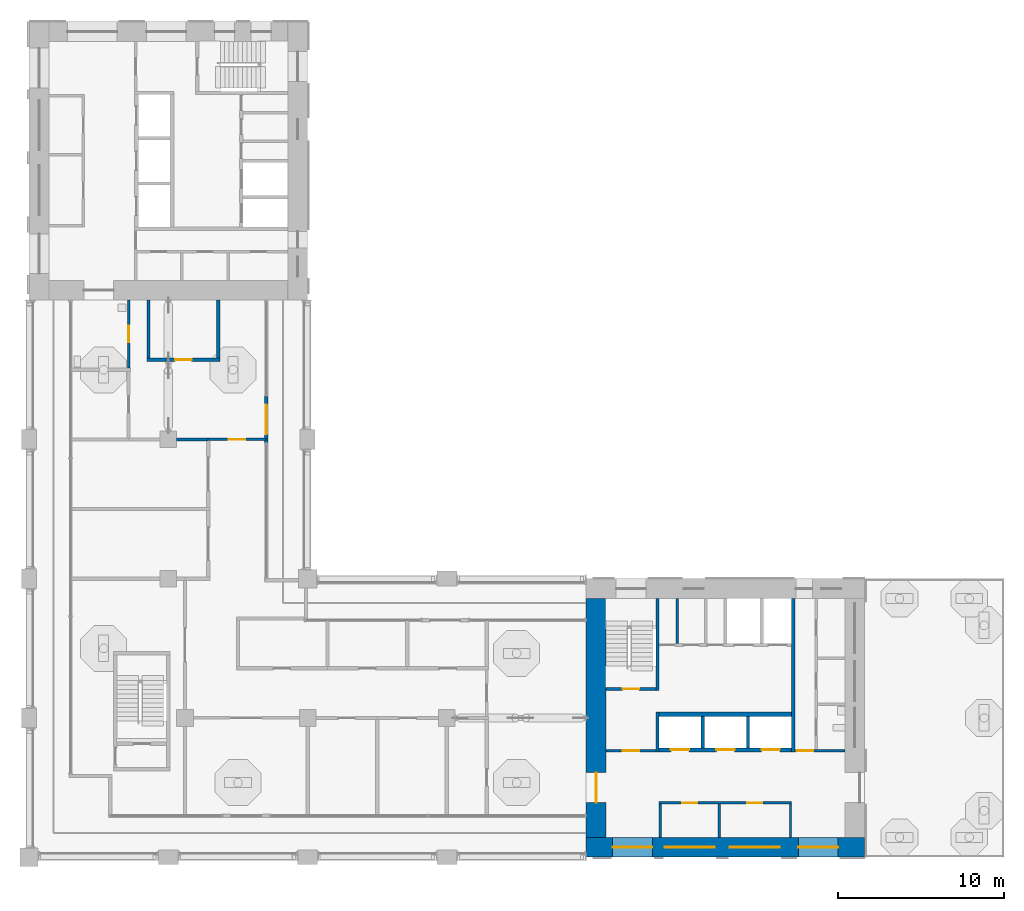
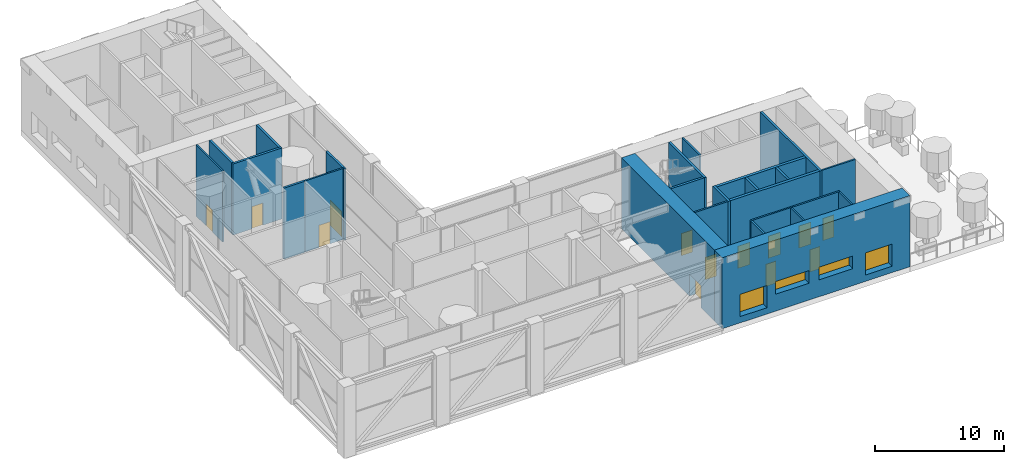
# One storey, part 8 of 20: 24 walls, 13 doors, 4 windows, 17 openings.
"""IFC4 building model written with IfcOpenShell, lengths in metres."""

from ifc_helpers import new_model, si_unit, direction, frame, frame_2d, origin, place, context, subcontext, project, spatial, rectangle, extrude, material, layer, layer_set, type_object, element, fill, save


model = new_model("IFC4")

# Units and contexts
model_context = context("Model", 3, precision=1e-05, world=origin(), true_north=direction((0.0, 1.0)))
body_context = subcontext(model_context, "Body", "Model", "MODEL_VIEW")
ifc_project = project(units=[si_unit("LENGTHUNIT", "METRE"), si_unit("AREAUNIT", "SQUARE_METRE"), si_unit("VOLUMEUNIT", "CUBIC_METRE"), si_unit("PLANEANGLEUNIT", "RADIAN"), si_unit("MASSUNIT", "GRAM", prefix="KILO")], contexts=[model_context])

# Site, building, storey
site_placement = place(None, origin())
site = spatial("IfcSite", under=ifc_project, at=site_placement, CompositionType="ELEMENT")
building_placement = place(site_placement, origin())
building = spatial("IfcBuilding", under=site, at=building_placement, Name="Vermilion Gate Residences", CompositionType="ELEMENT")
storey_placement = place(building_placement, frame((0.0, 0.0, 207.199951171875)))
storey = spatial("IfcBuildingStorey", under=building, at=storey_placement, Name="L54", CompositionType="ELEMENT", Elevation=207.199951171875)

# Walls
ifc_material_1 = material(Name="Masonry blockwork", Category="masonry")
ifc_layer_1 = layer(ifc_material_1, 0.14990234375)
ifc_layer_set_1 = layer_set([ifc_layer_1], Name="BLOCKWORK PARTITION 150 EI 120")
wall_type_1 = type_object("IfcWallType", Name="BLOCKWORK PARTITION 150 EI 120", PredefinedType="PARTITIONING", material=ifc_layer_set_1)
for number, where, z_axis, x_axis, name in (
    (1, (46.47509765625, 9.60009765625, 0.0), (0.0, 0.0, 1.0), (0.0, 1.0, 0.0), "Core room partition A54-RW-W"),
    (2, (54.324951171875, 9.60009765625, 0.0), (0.0, 0.0, 1.0), (0.0, 1.0, 0.0), "Core room partition A54-RW-E"),
    (3, (50.0224609375, 9.60009765625, 0.0), (0.0, 0.0, 1.0), (0.0, 1.0, 0.0), "Core room partition A54-SR-P0"),
):
    element("IfcWall", number, at=place(storey_placement, frame(where, z_axis=z_axis, x_axis=x_axis)), inside=storey, type_object=wall_type_1, Name=name, PredefinedType="PARTITIONING", context=body_context, shape_type="SweptSolid", body=[
        extrude(rectangle(XDim=2.0, YDim=0.14990234375, at=frame_2d((1.0, 0.0))), origin(), (0.0, 0.0, 1.0), 6.719970703125),
    ])

# Wall, openings, doors
wall_1_placement = place(storey_placement, frame((46.39990234375, 11.675048828125, 0.0), z_axis=(0.0, 0.0, 1.0), x_axis=(1.0, 0.0, 0.0)))
wall_1 = element("IfcWall", 4, at=wall_1_placement, inside=storey, type_object=wall_type_1, Name="Core room partition A54-LR-F", PredefinedType="PARTITIONING", context=body_context, shape_type="SweptSolid", body=[
    extrude(rectangle(XDim=8.0, YDim=0.14990234375, at=frame_2d((4.0, 0.0))), origin(), (0.0, 0.0, 1.0), 6.719970703125),
])
opening_1_placement = place(wall_1_placement, frame((1.398681640625, 0.0, 0.0)))
opening_1 = element("IfcOpeningElement", 5, at=opening_1_placement, cuts=wall_1, Name="Opening DK54003", PredefinedType="OPENING", context=body_context, shape_type="SweptSolid", body=[
    extrude(rectangle(XDim=0.89990234375, YDim=2.10009765625, at=frame_2d((0.449951171875, 1.050048828125))), frame((0.0, 0.0849609375, 0.0), z_axis=(0.0, -1.0, 0.0), x_axis=(1.0, 0.0, 0.0)), (0.0, 0.0, 1.0), 0.169921875),
])
opening_2_placement = place(wall_1_placement, frame((5.32373046875, 0.0, 0.0)))
opening_2 = element("IfcOpeningElement", 6, at=opening_2_placement, cuts=wall_1, Name="Opening DK54004", PredefinedType="OPENING", context=body_context, shape_type="SweptSolid", body=[
    extrude(rectangle(XDim=0.89990234375, YDim=2.10009765625, at=frame_2d((0.449951171875, 1.050048828125))), frame((0.0, 0.0849609375, 0.0), z_axis=(0.0, -1.0, 0.0), x_axis=(1.0, 0.0, 0.0)), (0.0, 0.0, 1.0), 0.169921875),
])
ifc_material_2 = material(Name="Steel", Category="steel")
door_type_1 = type_object("IfcDoorType", Name="SERVICE ROOM DOOR FD60 900 X 2100", OperationType="SINGLE_SWING_LEFT", PredefinedType="DOOR", material=ifc_material_2)
door_1_placement = place(opening_1_placement, origin())
door_1 = element("IfcDoor", 7, at=door_1_placement, inside=storey, type_object=door_type_1, Name="Mechanical plant room A54", OperationType="SINGLE_SWING_LEFT", OverallHeight=2.10009765625, OverallWidth=0.89990234375, PredefinedType="DOOR", context=body_context, shape_type="SweptSolid", body=[
    extrude(rectangle(XDim=0.89990234375, YDim=2.10009765625, at=frame_2d((0.449951171875, 1.050048828125))), frame((0.0, 0.02490234375, 0.0), z_axis=(0.0, -1.0, 0.0), x_axis=(1.0, 0.0, 0.0)), (0.0, 0.0, 1.0), 0.050048828125),
])
fill(opening_1, door_1)
door_2_placement = place(opening_2_placement, origin())
door_2 = element("IfcDoor", 8, at=door_2_placement, inside=storey, type_object=door_type_1, Name="Water tank room A54", OperationType="SINGLE_SWING_LEFT", OverallHeight=2.10009765625, OverallWidth=0.89990234375, PredefinedType="DOOR", context=body_context, shape_type="SweptSolid", body=[
    extrude(rectangle(XDim=0.89990234375, YDim=2.10009765625, at=frame_2d((0.449951171875, 1.050048828125))), frame((0.0, 0.02490234375, 0.0), z_axis=(0.0, -1.0, 0.0), x_axis=(1.0, 0.0, 0.0)), (0.0, 0.0, 1.0), 0.050048828125),
])
fill(opening_2, door_2)

# Wall
wall_2_placement = place(storey_placement, frame((47.48291015625, 21.300048828125, 0.0), z_axis=(0.0, 0.0, 1.0), x_axis=(0.0, 1.0, 0.0)))
element("IfcWall", 9, at=wall_2_placement, inside=storey, type_object=wall_type_1, Name="Core room partition A54-NR-P0", PredefinedType="PARTITIONING", context=body_context, shape_type="SweptSolid", body=[
    extrude(rectangle(XDim=2.699951171875, YDim=0.14990234375, at=frame_2d((1.35009765625, 0.0))), origin(), (0.0, 0.0, 1.0), 6.719970703125),
])

# Wall, opening, door
wall_3_placement = place(storey_placement, frame((43.199951171875, 14.824951171875, 0.0), z_axis=(0.0, 0.0, 1.0), x_axis=(1.0, 0.0, 0.0)))
wall_3 = element("IfcWall", 10, at=wall_3_placement, inside=storey, type_object=wall_type_1, Name="Core room partition A54-VW-S", PredefinedType="PARTITIONING", context=body_context, shape_type="SweptSolid", body=[
    extrude(rectangle(XDim=3.0, YDim=0.14990234375, at=frame_2d((1.5, 0.0))), origin(), (0.0, 0.0, 1.0), 6.719970703125),
])
opening_3_placement = place(wall_3_placement, frame((1.0, 0.0, 0.0)))
opening_3 = element("IfcOpeningElement", 11, at=opening_3_placement, cuts=wall_3, Name="Opening DK54013", PredefinedType="OPENING", context=body_context, shape_type="SweptSolid", body=[
    extrude(rectangle(XDim=1.0, YDim=2.10009765625, at=frame_2d((0.5, 1.050048828125))), frame((0.0, 0.0849609375, 0.0), z_axis=(0.0, -1.0, 0.0), x_axis=(1.0, 0.0, 0.0)), (0.0, 0.0, 1.0), 0.169921875),
])
ifc_material_3 = material(Name="Steel", Category="steel")
door_type_2 = type_object("IfcDoorType", Name="FIRE DOOR FD60 1000 X 2100", OperationType="SINGLE_SWING_LEFT", PredefinedType="DOOR", material=ifc_material_3)
door_3_placement = place(opening_3_placement, frame((1.0, 0.0, 0.0), z_axis=(0.0, 0.0, 1.0), x_axis=(-1.0, 0.0, 0.0)))
door_3 = element("IfcDoor", 12, at=door_3_placement, inside=storey, type_object=door_type_2, Name="Stair vestibule door A54", OperationType="SINGLE_SWING_RIGHT", OverallHeight=2.10009765625, OverallWidth=1.0, PredefinedType="DOOR", context=body_context, shape_type="SweptSolid", body=[
    extrude(rectangle(XDim=1.0, YDim=2.10009765625, at=frame_2d((0.5, 1.050048828125))), frame((0.0, 0.02490234375, 0.0), z_axis=(0.0, -1.0, 0.0), x_axis=(1.0, 0.0, 0.0)), (0.0, 0.0, 1.0), 0.050048828125),
])
fill(opening_3, door_3)

wall_4_placement = place(storey_placement, frame((54.60009765625, 14.824951171875, 0.0), z_axis=(0.0, 0.0, 1.0), x_axis=(1.0, 0.0, 0.0)))
wall_4 = element("IfcWall", 13, at=wall_4_placement, inside=storey, type_object=wall_type_1, Name="Core room partition A54-ES-S", PredefinedType="PARTITIONING", context=body_context, shape_type="SweptSolid", body=[
    extrude(rectangle(XDim=3.0, YDim=0.14990234375, at=frame_2d((1.5, 0.0))), origin(), (0.0, 0.0, 1.0), 6.719970703125),
])
opening_4_placement = place(wall_4_placement, frame((0.10009765625, 0.0, 0.0)))
opening_4 = element("IfcOpeningElement", 14, at=opening_4_placement, cuts=wall_4, Name="Opening DK54015", PredefinedType="OPENING", context=body_context, shape_type="SweptSolid", body=[
    extrude(rectangle(XDim=1.0, YDim=2.10009765625, at=frame_2d((0.5, 1.050048828125))), frame((0.0, 0.0849609375, 0.0), z_axis=(0.0, -1.0, 0.0), x_axis=(1.0, 0.0, 0.0)), (0.0, 0.0, 1.0), 0.169921875),
])
door_4_placement = place(opening_4_placement, frame((1.0, 0.0, 0.0), z_axis=(0.0, 0.0, 1.0), x_axis=(-1.0, 0.0, 0.0)))
door_4 = element("IfcDoor", 15, at=door_4_placement, inside=storey, type_object=door_type_2, Name="Service corridor door A54", OperationType="SINGLE_SWING_LEFT", OverallHeight=2.10009765625, OverallWidth=1.0, PredefinedType="DOOR", context=body_context, shape_type="SweptSolid", body=[
    extrude(rectangle(XDim=1.0, YDim=2.10009765625, at=frame_2d((0.5, 1.050048828125))), frame((0.0, 0.02490234375, 0.0), z_axis=(0.0, -1.0, 0.0), x_axis=(1.0, 0.0, 0.0)), (0.0, 0.0, 1.0), 0.050048828125),
])
fill(opening_4, door_4)

ifc_material_4 = material(Name="Insulated steel stud wall with terracotta rainscreen", Category="masonry")
ifc_layer_2 = layer(ifc_material_4, 0.199951171875)
ifc_layer_set_2 = layer_set([ifc_layer_2], Name="EXTERNAL WALL 200 TERRACOTTA RAINSCREEN")
wall_type_2 = type_object("IfcWallType", Name="EXTERNAL WALL 200 TERRACOTTA RAINSCREEN", PredefinedType="SOLIDWALL", material=ifc_layer_set_2)
wall_5_placement = place(storey_placement, frame((22.699951171875, 33.39990234375, 0.0), z_axis=(0.0, 0.0, 1.0), x_axis=(0.0, 1.0, 0.0)))
wall_5 = element("IfcWall", 16, at=wall_5_placement, inside=storey, type_object=wall_type_2, Name="External wall", PredefinedType="SOLIDWALL", context=body_context, shape_type="SweptSolid", body=[
    extrude(rectangle(XDim=2.800048828125, YDim=0.199951171875, at=frame_2d((1.39990234375, 0.0))), origin(), (0.0, 0.0, 1.0), 6.719970703125),
])
opening_5_placement = place(wall_5_placement, frame((0.5, 0.0, 0.0)))
opening_5 = element("IfcOpeningElement", 17, at=opening_5_placement, cuts=wall_5, Name="Opening DE54003", PredefinedType="OPENING", context=body_context, shape_type="SweptSolid", body=[
    extrude(rectangle(XDim=1.800048828125, YDim=2.39990234375, at=frame_2d((0.89990234375, 1.199951171875))), frame((0.0, 0.10986328125, 0.0), z_axis=(0.0, -1.0, 0.0), x_axis=(1.0, 0.0, 0.0)), (0.0, 0.0, 1.0), 0.219970703125),
])
ifc_material_5 = material(Name="Aluminium and clear glass", Category="aluminium")
door_type_3 = type_object("IfcDoorType", Name="GLAZED EXTERNAL DOOR 1800 X 2400", OperationType="DOUBLE_DOOR_SINGLE_SWING", PredefinedType="DOOR", material=ifc_material_5)
door_5_placement = place(opening_5_placement, frame((1.800048828125, 0.0, 0.0), z_axis=(0.0, 0.0, 1.0), x_axis=(-1.0, 0.0, 0.0)))
door_5 = element("IfcDoor", 18, at=door_5_placement, inside=storey, type_object=door_type_3, Name="Terrace door", OperationType="DOUBLE_DOOR_SINGLE_SWING", OverallHeight=2.39990234375, OverallWidth=1.800048828125, PredefinedType="DOOR", context=body_context, shape_type="SweptSolid", body=[
    extrude(rectangle(XDim=1.800048828125, YDim=2.39990234375, at=frame_2d((0.89990234375, 1.199951171875))), frame((0.0, 0.02490234375, 0.0), z_axis=(0.0, -1.0, 0.0), x_axis=(1.0, 0.0, 0.0)), (0.0, 0.0, 1.0), 0.050048828125),
])
fill(opening_5, door_5)

# Walls
ifc_material_6 = material(Name="Concrete blockwork", Category="masonry")
ifc_layer_3 = layer(ifc_material_6, 0.199951171875)
ifc_layer_set_3 = layer_set([ifc_layer_3], Name="FIRE WALL 200 EI 120 (AMENITY)")
wall_type_3 = type_object("IfcWallType", Name="FIRE WALL 200 EI 120 (AMENITY)", PredefinedType="PARTITIONING", material=ifc_layer_set_3)
wall_6_placement = place(storey_placement, frame((17.300048828125, 33.60009765625, 0.0), z_axis=(0.0, 0.0, 1.0), x_axis=(1.0, 0.0, 0.0)))
element("IfcWall", 19, at=wall_6_placement, inside=storey, type_object=wall_type_3, Name="Fire-resisting wall 8", PredefinedType="PARTITIONING", context=body_context, shape_type="SweptSolid", body=[
    extrude(rectangle(XDim=1.89990234375, YDim=0.199951171875, at=frame_2d((0.949951171875, 0.0))), origin(), (0.0, 0.0, 1.0), 6.719970703125),
])
wall_7_placement = place(storey_placement, frame((15.60009765625, 38.5, 0.0), z_axis=(0.0, 0.0, 1.0), x_axis=(0.0, 1.0, 0.0)))
element("IfcWall", 20, at=wall_7_placement, inside=storey, type_object=wall_type_3, Name="Fire-resisting wall 10", PredefinedType="PARTITIONING", context=body_context, shape_type="SweptSolid", body=[
    extrude(rectangle(XDim=3.5, YDim=0.199951171875, at=frame_2d((1.75, 0.0))), origin(), (0.0, 0.0, 1.0), 6.719970703125),
])

# Wall, opening, door
wall_8_placement = place(storey_placement, frame((15.5, 38.39990234375, 0.0), z_axis=(0.0, 0.0, 1.0), x_axis=(1.0, 0.0, 0.0)))
wall_8 = element("IfcWall", 21, at=wall_8_placement, inside=storey, type_object=wall_type_3, Name="Fire-resisting wall 11", PredefinedType="PARTITIONING", context=body_context, shape_type="SweptSolid", body=[
    extrude(rectangle(XDim=4.39990234375, YDim=0.199951171875, at=frame_2d((2.199951171875, 0.0))), origin(), (0.0, 0.0, 1.0), 6.719970703125),
])
opening_6_placement = place(wall_8_placement, frame((1.699951171875, 0.0, 0.0)))
opening_6 = element("IfcOpeningElement", 22, at=opening_6_placement, cuts=wall_8, Name="Opening DM54010", PredefinedType="OPENING", context=body_context, shape_type="SweptSolid", body=[
    extrude(rectangle(XDim=1.0, YDim=2.10009765625, at=frame_2d((0.5, 1.050048828125))), frame((0.0, 0.10986328125, 0.0), z_axis=(0.0, -1.0, 0.0), x_axis=(1.0, 0.0, 0.0)), (0.0, 0.0, 1.0), 0.219970703125),
])
ifc_material_7 = material(Name="Steel", Category="steel")
door_type_4 = type_object("IfcDoorType", Name="DOOR 1000 X 2100 FD60 (AMENITY)", OperationType="SINGLE_SWING_LEFT", PredefinedType="DOOR", material=ifc_material_7)
door_6_placement = place(opening_6_placement, frame((1.0, 0.0, 0.0), z_axis=(0.0, 0.0, 1.0), x_axis=(-1.0, 0.0, 0.0)))
door_6 = element("IfcDoor", 23, at=door_6_placement, inside=storey, type_object=door_type_4, Name="Door L54 10", OperationType="SINGLE_SWING_LEFT", OverallHeight=2.10009765625, OverallWidth=1.0, PredefinedType="DOOR", context=body_context, shape_type="SweptSolid", body=[
    extrude(rectangle(XDim=1.0, YDim=2.10009765625, at=frame_2d((0.5, 1.050048828125))), frame((0.0, 0.02490234375, 0.0), z_axis=(0.0, -1.0, 0.0), x_axis=(1.0, 0.0, 0.0)), (0.0, 0.0, 1.0), 0.050048828125),
])
fill(opening_6, door_6)

# Wall
wall_9_placement = place(storey_placement, frame((19.800048828125, 38.5, 0.0), z_axis=(0.0, 0.0, 1.0), x_axis=(0.0, 1.0, 0.0)))
element("IfcWall", 24, at=wall_9_placement, inside=storey, type_object=wall_type_3, Name="Fire-resisting wall 19", PredefinedType="PARTITIONING", context=body_context, shape_type="SweptSolid", body=[
    extrude(rectangle(XDim=3.5, YDim=0.199951171875, at=frame_2d((1.75, 0.0))), origin(), (0.0, 0.0, 1.0), 6.719970703125),
])

# Wall, opening, door
ifc_material_8 = material(Name="Gypsum board on steel studs", Category="steel")
ifc_layer_4 = layer(ifc_material_8, 0.14990234375)
ifc_layer_set_4 = layer_set([ifc_layer_4], Name="PARTITION 150 EI 60 (AMENITY)")
wall_type_4 = type_object("IfcWallType", Name="PARTITION 150 EI 60 (AMENITY)", PredefinedType="PARTITIONING", material=ifc_layer_set_4)
wall_10_placement = place(storey_placement, frame((14.39990234375, 37.89990234375, 0.0), z_axis=(0.0, 0.0, 1.0), x_axis=(0.0, 1.0, 0.0)))
wall_10 = element("IfcWall", 25, at=wall_10_placement, inside=storey, type_object=wall_type_4, Name="Partition 9", PredefinedType="PARTITIONING", context=body_context, shape_type="SweptSolid", body=[
    extrude(rectangle(XDim=4.10009765625, YDim=0.14990234375, at=frame_2d((2.050048828125, 0.0))), origin(), (0.0, 0.0, 1.0), 6.719970703125),
])
opening_7_placement = place(wall_10_placement, frame((1.550048828125, 0.0, 0.0)))
opening_7 = element("IfcOpeningElement", 26, at=opening_7_placement, cuts=wall_10, Name="Opening DM54008", PredefinedType="OPENING", context=body_context, shape_type="SweptSolid", body=[
    extrude(rectangle(XDim=1.0, YDim=2.10009765625, at=frame_2d((0.5, 1.050048828125))), frame((0.0, 0.0849609375, 0.0), z_axis=(0.0, -1.0, 0.0), x_axis=(1.0, 0.0, 0.0)), (0.0, 0.0, 1.0), 0.169921875),
])
ifc_material_9 = material(Name="Steel", Category="steel")
door_type_5 = type_object("IfcDoorType", Name="DOOR 1000 X 2100 FD30 (AMENITY)", OperationType="SINGLE_SWING_LEFT", PredefinedType="DOOR", material=ifc_material_9)
door_7_placement = place(opening_7_placement, origin())
door_7 = element("IfcDoor", 27, at=door_7_placement, inside=storey, type_object=door_type_5, Name="Door L54 8", OperationType="SINGLE_SWING_LEFT", OverallHeight=2.10009765625, OverallWidth=1.0, PredefinedType="DOOR", context=body_context, shape_type="SweptSolid", body=[
    extrude(rectangle(XDim=1.0, YDim=2.10009765625, at=frame_2d((0.5, 1.050048828125))), frame((0.0, 0.02490234375, 0.0), z_axis=(0.0, -1.0, 0.0), x_axis=(1.0, 0.0, 0.0)), (0.0, 0.0, 1.0), 0.050048828125),
])
fill(opening_7, door_7)

wall_11_placement = place(storey_placement, frame((19.199951171875, 33.60009765625, 0.0), z_axis=(0.0, 0.0, 1.0), x_axis=(1.0, 0.0, 0.0)))
wall_11 = element("IfcWall", 28, at=wall_11_placement, inside=storey, type_object=wall_type_4, Name="Partition 18", PredefinedType="PARTITIONING", context=body_context, shape_type="SweptSolid", body=[
    extrude(rectangle(XDim=3.5, YDim=0.14990234375, at=frame_2d((1.75, 0.0))), origin(), (0.0, 0.0, 1.0), 6.719970703125),
])
opening_8_placement = place(wall_11_placement, frame((1.25, 0.0, 0.0)))
opening_8 = element("IfcOpeningElement", 29, at=opening_8_placement, cuts=wall_11, Name="Opening DM54014", PredefinedType="OPENING", context=body_context, shape_type="SweptSolid", body=[
    extrude(rectangle(XDim=1.0, YDim=2.10009765625, at=frame_2d((0.5, 1.050048828125))), frame((0.0, 0.0849609375, 0.0), z_axis=(0.0, -1.0, 0.0), x_axis=(1.0, 0.0, 0.0)), (0.0, 0.0, 1.0), 0.169921875),
])
door_8_placement = place(opening_8_placement, origin())
door_8 = element("IfcDoor", 30, at=door_8_placement, inside=storey, type_object=door_type_5, Name="Door L54 14", OperationType="SINGLE_SWING_RIGHT", OverallHeight=2.10009765625, OverallWidth=1.0, PredefinedType="DOOR", context=body_context, shape_type="SweptSolid", body=[
    extrude(rectangle(XDim=1.0, YDim=2.10009765625, at=frame_2d((0.5, 1.050048828125))), frame((0.0, 0.02490234375, 0.0), z_axis=(0.0, -1.0, 0.0), x_axis=(1.0, 0.0, 0.0)), (0.0, 0.0, 1.0), 0.050048828125),
])
fill(opening_8, door_8)

# Walls
ifc_material_10 = material(Name="Concrete C60", Category="concrete")
ifc_layer_5 = layer(ifc_material_10, 0.199951171875)
ifc_layer_set_5 = layer_set([ifc_layer_5], Name="RC CORE INTERNAL WALL 200 C60")
wall_type_5 = type_object("IfcWallType", Name="RC CORE INTERNAL WALL 200 C60", PredefinedType="SHEAR", material=ifc_layer_set_5)
for number, where, z_axis, x_axis, name in (
    (31, (49.033447265625, 15.0, 0.0), (0.0, 0.0, 1.0), (0.0, 1.0, 0.0), "Core internal wall A54-HR-D1"),
    (32, (51.7666015625, 15.0, 0.0), (0.0, 0.0, 1.0), (0.0, 1.0, 0.0), "Core internal wall A54-HR-D2"),
):
    element("IfcWall", number, at=place(storey_placement, frame(where, z_axis=z_axis, x_axis=x_axis)), inside=storey, type_object=wall_type_5, Name=name, PredefinedType="SHEAR", context=body_context, shape_type="SweptSolid", body=[
        extrude(rectangle(XDim=1.89990234375, YDim=0.199951171875, at=frame_2d((0.949951171875, 0.0))), origin(), (0.0, 0.0, 1.0), 6.719970703125),
    ])
wall_12_placement = place(storey_placement, frame((46.300048828125, 14.75, 0.0), z_axis=(0.0, 0.0, 1.0), x_axis=(0.0, 1.0, 0.0)))
element("IfcWall", 33, at=wall_12_placement, inside=storey, type_object=wall_type_5, Name="Core internal wall A54-WDIV1", PredefinedType="SHEAR", context=body_context, shape_type="SweptSolid", body=[
    extrude(rectangle(XDim=2.39990234375, YDim=0.199951171875, at=frame_2d((1.199951171875, 0.0))), origin(), (0.0, 0.0, 1.0), 6.719970703125),
])
wall_13_placement = place(storey_placement, frame((46.300048828125, 18.449951171875, 0.0), z_axis=(0.0, 0.0, 1.0), x_axis=(0.0, 1.0, 0.0)))
element("IfcWall", 34, at=wall_13_placement, inside=storey, type_object=wall_type_5, Name="Core internal wall A54-WDIV2", PredefinedType="SHEAR", context=body_context, shape_type="SweptSolid", body=[
    extrude(rectangle(XDim=5.550048828125, YDim=0.199951171875, at=frame_2d((2.77490234375, 0.0))), origin(), (0.0, 0.0, 1.0), 6.719970703125),
])

# Wall, opening, door
wall_14_placement = place(storey_placement, frame((43.199951171875, 18.550048828125, 0.0), z_axis=(0.0, 0.0, 1.0), x_axis=(1.0, 0.0, 0.0)))
wall_14 = element("IfcWall", 35, at=wall_14_placement, inside=storey, type_object=wall_type_5, Name="Core internal wall A54-STW-S", PredefinedType="SHEAR", context=body_context, shape_type="SweptSolid", body=[
    extrude(rectangle(XDim=3.0, YDim=0.199951171875, at=frame_2d((1.5, 0.0))), origin(), (0.0, 0.0, 1.0), 6.719970703125),
])
opening_9_placement = place(wall_14_placement, frame((1.0, 0.0, 0.0)))
opening_9 = element("IfcOpeningElement", 36, at=opening_9_placement, cuts=wall_14, Name="Opening DK54014", PredefinedType="OPENING", context=body_context, shape_type="SweptSolid", body=[
    extrude(rectangle(XDim=1.0, YDim=2.10009765625, at=frame_2d((0.5, 1.050048828125))), frame((0.0, 0.10986328125, 0.0), z_axis=(0.0, -1.0, 0.0), x_axis=(1.0, 0.0, 0.0)), (0.0, 0.0, 1.0), 0.219970703125),
])
door_9_placement = place(opening_9_placement, origin())
door_9 = element("IfcDoor", 37, at=door_9_placement, inside=storey, type_object=door_type_2, Name="Stair door A54", OperationType="SINGLE_SWING_RIGHT", OverallHeight=2.10009765625, OverallWidth=1.0, PredefinedType="DOOR", context=body_context, shape_type="SweptSolid", body=[
    extrude(rectangle(XDim=1.0, YDim=2.10009765625, at=frame_2d((0.5, 1.050048828125))), frame((0.0, 0.02490234375, 0.0), z_axis=(0.0, -1.0, 0.0), x_axis=(1.0, 0.0, 0.0)), (0.0, 0.0, 1.0), 0.050048828125),
])
fill(opening_9, door_9)

# Wall
wall_15_placement = place(storey_placement, frame((54.5, 14.75, 0.0), z_axis=(0.0, 0.0, 1.0), x_axis=(0.0, 1.0, 0.0)))
element("IfcWall", 38, at=wall_15_placement, inside=storey, type_object=wall_type_5, Name="Core internal wall A54-EDIV", PredefinedType="SHEAR", context=body_context, shape_type="SweptSolid", body=[
    extrude(rectangle(XDim=9.25, YDim=0.199951171875, at=frame_2d((4.625, 0.0))), origin(), (0.0, 0.0, 1.0), 6.719970703125),
])

# Wall, opening, door
ifc_material_11 = material(Name="Concrete C60", Category="concrete")
ifc_layer_6 = layer(ifc_material_11, 1.199951171875)
ifc_layer_set_6 = layer_set([ifc_layer_6], Name="RC CORE WALL 1200 C60")
wall_type_6 = type_object("IfcWallType", Name="RC CORE WALL 1200 C60", PredefinedType="SHEAR", material=ifc_layer_set_6)
wall_16_placement = place(storey_placement, frame((42.60009765625, 9.60009765625, 0.0), z_axis=(0.0, 0.0, 1.0), x_axis=(0.0, 1.0, 0.0)))
wall_16 = element("IfcWall", 39, at=wall_16_placement, inside=storey, type_object=wall_type_6, Name="Core wall A54-OUT-FR", PredefinedType="SHEAR", context=body_context, shape_type="SweptSolid", body=[
    extrude(rectangle(XDim=14.39990234375, YDim=1.199951171875, at=frame_2d((7.199951171875, 0.0))), origin(), (0.0, 0.0, 1.0), 6.719970703125),
])
opening_10_placement = place(wall_16_placement, frame((2.10009765625, 0.0, 0.0)))
opening_10 = element("IfcOpeningElement", 40, at=opening_10_placement, cuts=wall_16, Name="Opening DK54001", PredefinedType="OPENING", context=body_context, shape_type="SweptSolid", body=[
    extrude(rectangle(XDim=1.800048828125, YDim=2.10009765625, at=frame_2d((0.89990234375, 1.050048828125))), frame((0.0, 0.60986328125, 0.0), z_axis=(0.0, -1.0, 0.0), x_axis=(1.0, 0.0, 0.0)), (0.0, 0.0, 1.0), 1.219970703125),
])
ifc_material_12 = material(Name="Steel", Category="steel")
door_type_6 = type_object("IfcDoorType", Name="CORE LOBBY DOOR FD60 1800 X 2100", OperationType="DOUBLE_DOOR_SINGLE_SWING", PredefinedType="DOOR", material=ifc_material_12)
door_10_placement = place(opening_10_placement, frame((1.800048828125, 0.0, 0.0), z_axis=(0.0, 0.0, 1.0), x_axis=(-1.0, 0.0, 0.0)))
door_10 = element("IfcDoor", 41, at=door_10_placement, inside=storey, type_object=door_type_6, Name="Core lobby door A54", OperationType="DOUBLE_DOOR_SINGLE_SWING", OverallHeight=2.10009765625, OverallWidth=1.800048828125, PredefinedType="DOOR", context=body_context, shape_type="SweptSolid", body=[
    extrude(rectangle(XDim=1.800048828125, YDim=2.10009765625, at=frame_2d((0.89990234375, 1.050048828125))), frame((0.0, 0.02490234375, 0.0), z_axis=(0.0, -1.0, 0.0), x_axis=(1.0, 0.0, 0.0)), (0.0, 0.0, 1.0), 0.050048828125),
])
fill(opening_10, door_10)

# Wall, openings, windows
ifc_material_13 = material(Name="Concrete C60 red-oxide pigmented", Category="concrete")
ifc_layer_7 = layer(ifc_material_13, 1.199951171875)
ifc_layer_set_7 = layer_set([ifc_layer_7], Name="RC CORE WALL 1200 C60 RED OXIDE")
wall_type_7 = type_object("IfcWallType", Name="RC CORE WALL 1200 C60 RED OXIDE", PredefinedType="SHEAR", material=ifc_layer_set_7)
wall_17_placement = place(storey_placement, frame((42.0, 9.0, 0.0), z_axis=(0.0, 0.0, 1.0), x_axis=(1.0, 0.0, 0.0)))
wall_17 = element("IfcWall", 42, at=wall_17_placement, inside=storey, type_object=wall_type_7, Name="Core wall A54-OUT-B0", PredefinedType="SHEAR", context=body_context, shape_type="SweptSolid", body=[
    extrude(rectangle(XDim=16.800048828125, YDim=1.199951171875, at=frame_2d((8.39990234375, 0.0))), origin(), (0.0, 0.0, 1.0), 6.719970703125),
])
opening_11_placement = place(wall_17_placement, frame((1.60009765625, 0.0, 0.60009765625)))
opening_11 = element("IfcOpeningElement", 43, at=opening_11_placement, cuts=wall_17, Name="Opening WKA5401", PredefinedType="OPENING", context=body_context, shape_type="SweptSolid", body=[
    extrude(rectangle(XDim=2.39990234375, YDim=2.10009765625, at=frame_2d((1.199951171875, 1.050048828125))), frame((0.0, 0.60986328125, 0.0), z_axis=(0.0, -1.0, 0.0), x_axis=(1.0, 0.0, 0.0)), (0.0, 0.0, 1.0), 1.219970703125),
])
opening_12_placement = place(wall_17_placement, frame((4.748779296875, 0.0, 1.60009765625)))
opening_12 = element("IfcOpeningElement", 44, at=opening_12_placement, cuts=wall_17, Name="Opening WKA5402", PredefinedType="OPENING", context=body_context, shape_type="SweptSolid", body=[
    extrude(rectangle(XDim=3.0, YDim=1.199951171875, at=frame_2d((1.5, 0.60009765625))), frame((0.0, 0.60986328125, 0.0), z_axis=(0.0, -1.0, 0.0), x_axis=(1.0, 0.0, 0.0)), (0.0, 0.0, 1.0), 1.219970703125),
])
opening_13_placement = place(wall_17_placement, frame((8.673828125, 0.0, 1.60009765625)))
opening_13 = element("IfcOpeningElement", 45, at=opening_13_placement, cuts=wall_17, Name="Opening WKA5403", PredefinedType="OPENING", context=body_context, shape_type="SweptSolid", body=[
    extrude(rectangle(XDim=3.0, YDim=1.199951171875, at=frame_2d((1.5, 0.60009765625))), frame((0.0, 0.60986328125, 0.0), z_axis=(0.0, -1.0, 0.0), x_axis=(1.0, 0.0, 0.0)), (0.0, 0.0, 1.0), 1.219970703125),
])
opening_14_placement = place(wall_17_placement, frame((12.800048828125, 0.0, 0.60009765625)))
opening_14 = element("IfcOpeningElement", 46, at=opening_14_placement, cuts=wall_17, Name="Opening WKA5404", PredefinedType="OPENING", context=body_context, shape_type="SweptSolid", body=[
    extrude(rectangle(XDim=2.39990234375, YDim=2.10009765625, at=frame_2d((1.199951171875, 1.050048828125))), frame((0.0, 0.60986328125, 0.0), z_axis=(0.0, -1.0, 0.0), x_axis=(1.0, 0.0, 0.0)), (0.0, 0.0, 1.0), 1.219970703125),
])
ifc_material_14 = material(Name="Aluminium and clear glass", Category="aluminium")
window_type_1 = type_object("IfcWindowType", Name="CORE LOBBY WINDOW 2400 X 2100", PartitioningType="SINGLE_PANEL", PredefinedType="WINDOW", material=ifc_material_14)
window_1_placement = place(opening_11_placement, origin())
window_1 = element("IfcWindow", 47, at=window_1_placement, inside=storey, type_object=window_type_1, Name="Core lobby window", OverallHeight=2.10009765625, OverallWidth=2.39990234375, PartitioningType="SINGLE_PANEL", PredefinedType="WINDOW", context=body_context, shape_type="SweptSolid", body=[
    extrude(rectangle(XDim=2.39990234375, YDim=2.10009765625, at=frame_2d((1.199951171875, 1.050048828125))), frame((0.0, 0.030029296875, 0.0), z_axis=(0.0, -1.0, 0.0), x_axis=(1.0, 0.0, 0.0)), (0.0, 0.0, 1.0), 0.06005859375),
])
fill(opening_11, window_1)
window_2_placement = place(opening_14_placement, origin())
window_2 = element("IfcWindow", 48, at=window_2_placement, inside=storey, type_object=window_type_1, Name="Core lobby window", OverallHeight=2.10009765625, OverallWidth=2.39990234375, PartitioningType="SINGLE_PANEL", PredefinedType="WINDOW", context=body_context, shape_type="SweptSolid", body=[
    extrude(rectangle(XDim=2.39990234375, YDim=2.10009765625, at=frame_2d((1.199951171875, 1.050048828125))), frame((0.0, 0.030029296875, 0.0), z_axis=(0.0, -1.0, 0.0), x_axis=(1.0, 0.0, 0.0)), (0.0, 0.0, 1.0), 0.06005859375),
])
fill(opening_14, window_2)
ifc_material_15 = material(Name="Aluminium frame with louvre blades", Category="aluminium")
window_type_2 = type_object("IfcWindowType", Name="CORE LOUVRE 3000 X 1200", PartitioningType="SINGLE_PANEL", PredefinedType="WINDOW", material=ifc_material_15)
window_3_placement = place(opening_12_placement, origin())
window_3 = element("IfcWindow", 49, at=window_3_placement, inside=storey, type_object=window_type_2, Name="Core louvre", OverallHeight=1.199951171875, OverallWidth=3.0, PartitioningType="SINGLE_PANEL", PredefinedType="WINDOW", context=body_context, shape_type="SweptSolid", body=[
    extrude(rectangle(XDim=3.0, YDim=1.199951171875, at=frame_2d((1.5, 0.60009765625))), frame((0.0, 0.030029296875, 0.0), z_axis=(0.0, -1.0, 0.0), x_axis=(1.0, 0.0, 0.0)), (0.0, 0.0, 1.0), 0.06005859375),
])
fill(opening_12, window_3)
window_4_placement = place(opening_13_placement, origin())
window_4 = element("IfcWindow", 50, at=window_4_placement, inside=storey, type_object=window_type_2, Name="Core louvre", OverallHeight=1.199951171875, OverallWidth=3.0, PartitioningType="SINGLE_PANEL", PredefinedType="WINDOW", context=body_context, shape_type="SweptSolid", body=[
    extrude(rectangle(XDim=3.0, YDim=1.199951171875, at=frame_2d((1.5, 0.60009765625))), frame((0.0, 0.030029296875, 0.0), z_axis=(0.0, -1.0, 0.0), x_axis=(1.0, 0.0, 0.0)), (0.0, 0.0, 1.0), 0.06005859375),
])
fill(opening_13, window_4)

# Wall, openings, doors
ifc_material_16 = material(Name="Concrete C60", Category="concrete")
ifc_layer_8 = layer(ifc_material_16, 0.25)
ifc_layer_set_8 = layer_set([ifc_layer_8], Name="RC LIFT SHAFT WALL 250 C60")
wall_type_8 = type_object("IfcWallType", Name="RC LIFT SHAFT WALL 250 C60", PredefinedType="SHEAR", material=ifc_layer_set_8)
wall_18_placement = place(storey_placement, frame((46.39990234375, 14.875, 0.0), z_axis=(0.0, 0.0, 1.0), x_axis=(1.0, 0.0, 0.0)))
wall_18 = element("IfcWall", 51, at=wall_18_placement, inside=storey, type_object=wall_type_8, Name="Lift shaft wall A54-HR-F", PredefinedType="SHEAR", context=body_context, shape_type="SweptSolid", body=[
    extrude(rectangle(XDim=8.0, YDim=0.25, at=frame_2d((4.0, 0.0))), origin(), (0.0, 0.0, 1.0), 6.719970703125),
])
opening_15_placement = place(wall_18_placement, frame((0.716552734375, 0.0, 0.0)))
opening_15 = element("IfcOpeningElement", 52, at=opening_15_placement, cuts=wall_18, Name="Opening LD", PredefinedType="OPENING", context=body_context, shape_type="SweptSolid", body=[
    extrude(rectangle(XDim=1.10009765625, YDim=2.10009765625, at=frame_2d((0.550048828125, 1.050048828125))), frame((0.0, 0.135009765625, 0.0), z_axis=(0.0, -1.0, 0.0), x_axis=(1.0, 0.0, 0.0)), (0.0, 0.0, 1.0), 0.27001953125),
])
opening_16_placement = place(wall_18_placement, frame((3.449951171875, 0.0, 0.0)))
opening_16 = element("IfcOpeningElement", 53, at=opening_16_placement, cuts=wall_18, Name="Opening LD", PredefinedType="OPENING", context=body_context, shape_type="SweptSolid", body=[
    extrude(rectangle(XDim=1.10009765625, YDim=2.10009765625, at=frame_2d((0.550048828125, 1.050048828125))), frame((0.0, 0.135009765625, 0.0), z_axis=(0.0, -1.0, 0.0), x_axis=(1.0, 0.0, 0.0)), (0.0, 0.0, 1.0), 0.27001953125),
])
opening_17_placement = place(wall_18_placement, frame((6.183349609375, 0.0, 0.0)))
opening_17 = element("IfcOpeningElement", 54, at=opening_17_placement, cuts=wall_18, Name="Opening LD", PredefinedType="OPENING", context=body_context, shape_type="SweptSolid", body=[
    extrude(rectangle(XDim=1.10009765625, YDim=2.10009765625, at=frame_2d((0.550048828125, 1.050048828125))), frame((0.0, 0.135009765625, 0.0), z_axis=(0.0, -1.0, 0.0), x_axis=(1.0, 0.0, 0.0)), (0.0, 0.0, 1.0), 0.27001953125),
])
ifc_material_17 = material(Name="Stainless steel", Category="steel")
door_type_7 = type_object("IfcDoorType", Name="LIFT LANDING DOOR E60 1100 X 2100", OperationType="DOUBLE_DOOR_SLIDING", PredefinedType="DOOR", material=ifc_material_17)
door_11_placement = place(opening_15_placement, origin())
door_11 = element("IfcDoor", 55, at=door_11_placement, inside=storey, type_object=door_type_7, Name="Lift landing door HRA1", OperationType="DOUBLE_DOOR_SLIDING", OverallHeight=2.10009765625, OverallWidth=1.10009765625, PredefinedType="DOOR", context=body_context, shape_type="SweptSolid", body=[
    extrude(rectangle(XDim=1.10009765625, YDim=2.10009765625, at=frame_2d((0.550048828125, 1.050048828125))), frame((0.0, 0.02490234375, 0.0), z_axis=(0.0, -1.0, 0.0), x_axis=(1.0, 0.0, 0.0)), (0.0, 0.0, 1.0), 0.050048828125),
])
fill(opening_15, door_11)
door_12_placement = place(opening_16_placement, origin())
door_12 = element("IfcDoor", 56, at=door_12_placement, inside=storey, type_object=door_type_7, Name="Lift landing door HRA2", OperationType="DOUBLE_DOOR_SLIDING", OverallHeight=2.10009765625, OverallWidth=1.10009765625, PredefinedType="DOOR", context=body_context, shape_type="SweptSolid", body=[
    extrude(rectangle(XDim=1.10009765625, YDim=2.10009765625, at=frame_2d((0.550048828125, 1.050048828125))), frame((0.0, 0.02490234375, 0.0), z_axis=(0.0, -1.0, 0.0), x_axis=(1.0, 0.0, 0.0)), (0.0, 0.0, 1.0), 0.050048828125),
])
fill(opening_16, door_12)
door_13_placement = place(opening_17_placement, origin())
door_13 = element("IfcDoor", 57, at=door_13_placement, inside=storey, type_object=door_type_7, Name="Lift landing door HRA3", OperationType="DOUBLE_DOOR_SLIDING", OverallHeight=2.10009765625, OverallWidth=1.10009765625, PredefinedType="DOOR", context=body_context, shape_type="SweptSolid", body=[
    extrude(rectangle(XDim=1.10009765625, YDim=2.10009765625, at=frame_2d((0.550048828125, 1.050048828125))), frame((0.0, 0.02490234375, 0.0), z_axis=(0.0, -1.0, 0.0), x_axis=(1.0, 0.0, 0.0)), (0.0, 0.0, 1.0), 0.050048828125),
])
fill(opening_17, door_13)

# Wall
wall_19_placement = place(storey_placement, frame((46.39990234375, 17.02490234375, 0.0), z_axis=(0.0, 0.0, 1.0), x_axis=(1.0, 0.0, 0.0)))
element("IfcWall", 58, at=wall_19_placement, inside=storey, type_object=wall_type_8, Name="Lift shaft wall A54-HR-B", PredefinedType="SHEAR", context=body_context, shape_type="SweptSolid", body=[
    extrude(rectangle(XDim=8.0, YDim=0.25, at=frame_2d((4.0, 0.0))), origin(), (0.0, 0.0, 1.0), 6.719970703125),
])

save(model, "model.ifc")
